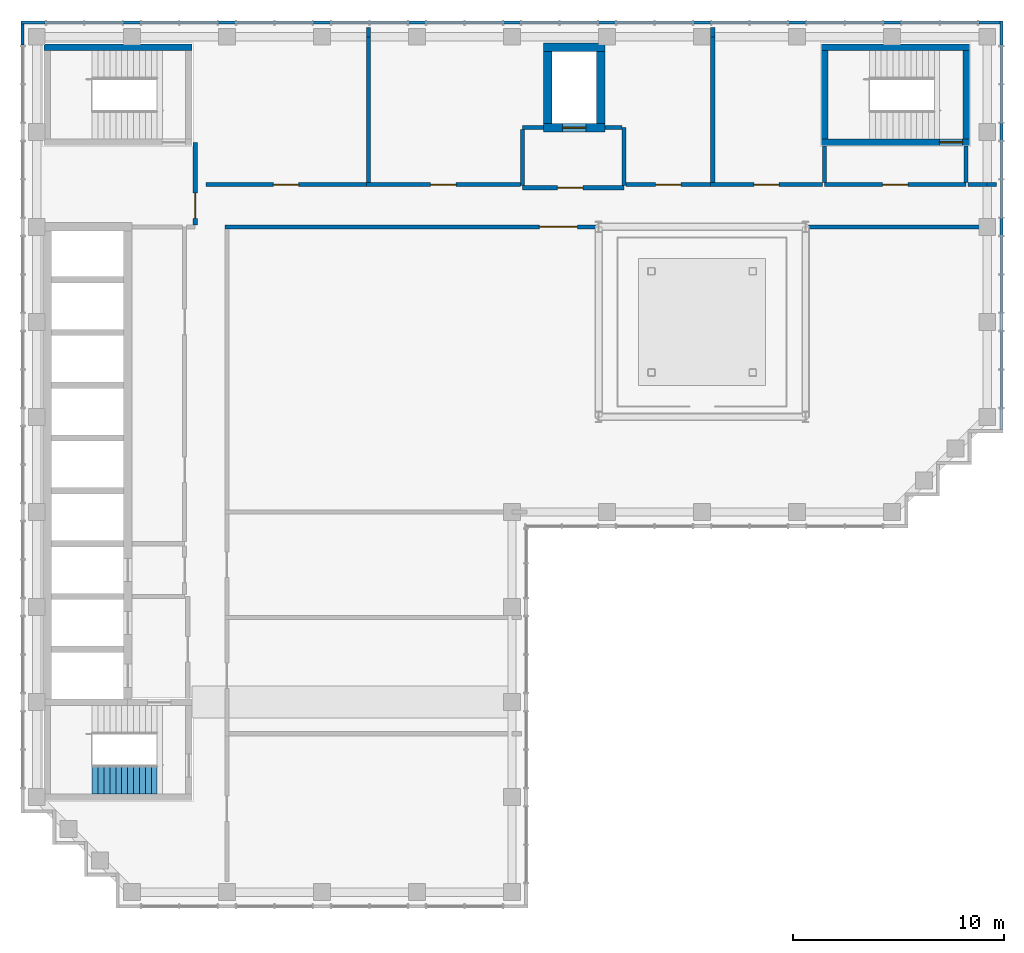
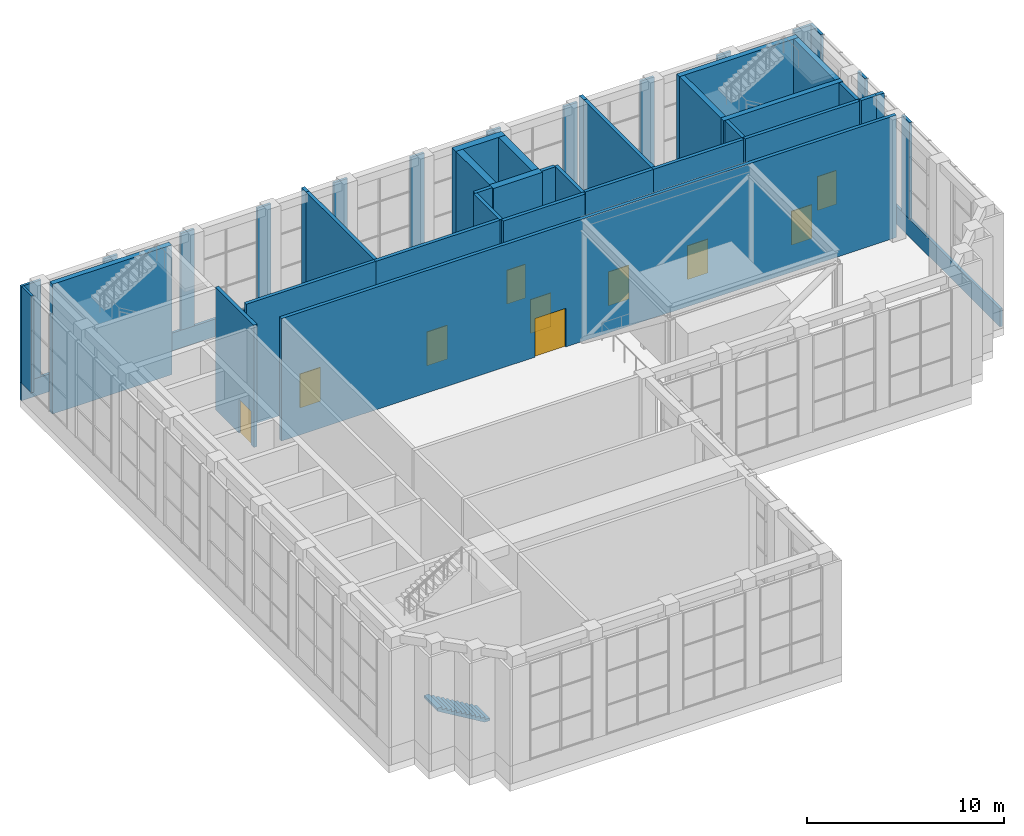
# One storey, part 14 of 17: 46 walls, 10 doors, 1 stair flight, 10 openings, 1 element without a shape of its own.
"""IFC4 building model written with IfcOpenShell, lengths in metres."""

from ifc_helpers import new_model, si_unit, direction, frame, frame_2d, origin, place, context, subcontext, project, spatial, polyline, rectangle, outline, extrude, material, layer, layer_set, type_object, element, fill, aggregate, save


model = new_model("IFC4")

# Units and contexts
model_context = context("Model", 3, precision=1e-05, world=origin(), true_north=direction((0.0, 1.0)))
body_context = subcontext(model_context, "Body", "Model", "MODEL_VIEW")
ifc_project = project(units=[si_unit("LENGTHUNIT", "METRE"), si_unit("AREAUNIT", "SQUARE_METRE"), si_unit("VOLUMEUNIT", "CUBIC_METRE"), si_unit("PLANEANGLEUNIT", "RADIAN"), si_unit("MASSUNIT", "GRAM", prefix="KILO")], contexts=[model_context])

# Site, building, storey
site_placement = place(None, origin())
site = spatial("IfcSite", under=ifc_project, at=site_placement, CompositionType="ELEMENT")
building_placement = place(site_placement, origin())
building = spatial("IfcBuilding", under=site, at=building_placement, Name="Firuza Court", CompositionType="ELEMENT")
storey_placement = place(building_placement, frame((0.0, 0.0, 258.199951171875)))
storey = spatial("IfcBuildingStorey", under=building, at=storey_placement, Name="L67", CompositionType="ELEMENT", Elevation=258.199951171875)

# Wall
ifc_material_1 = material(Name="Concrete C50/60", Category="concrete")
ifc_layer_1 = layer(ifc_material_1, 0.300048828125)
ifc_layer_set_1 = layer_set([ifc_layer_1], Name="Concrete C50/60")
wall_type_1 = type_object("IfcWallType", Name="Core wall 300 C50/60", PredefinedType="SHEAR", material=ifc_layer_set_1)
wall_1_placement = place(storey_placement, frame((0.35009765625, 58.0, -0.449951171875), z_axis=(0.0, 0.0, 1.0), x_axis=(1.0, 0.0, 0.0)))
element("IfcWall", 1, at=wall_1_placement, inside=storey, type_object=wall_type_1, Name="Core wall stair L67", PredefinedType="SHEAR", context=body_context, shape_type="SweptSolid", body=[
    extrude(rectangle(XDim=7.0, YDim=0.300048828125, at=frame_2d((3.5, 0.0))), origin(), (0.0, 0.0, 1.0), 8.050048828125),
])

# Wall, opening, door
wall_2_placement = place(storey_placement, frame((37.14990234375, 53.5, -0.449951171875), z_axis=(0.0, 0.0, 1.0), x_axis=(1.0, 0.0, 0.0)))
wall_2 = element("IfcWall", 2, at=wall_2_placement, inside=storey, type_object=wall_type_1, Name="Core wall stair L67", PredefinedType="SHEAR", context=body_context, shape_type="SweptSolid", body=[
    extrude(rectangle(XDim=7.0, YDim=0.300048828125, at=frame_2d((3.5, 0.0))), origin(), (0.0, 0.0, 1.0), 8.050048828125),
])
opening_1_placement = place(wall_2_placement, frame((5.580078125, 0.0, 0.449951171875)))
opening_1 = element("IfcOpeningElement", 3, at=opening_1_placement, cuts=wall_2, Name="Opening D67008", PredefinedType="OPENING", context=body_context, shape_type="SweptSolid", body=[
    extrude(rectangle(XDim=1.10009765625, YDim=2.10009765625, at=frame_2d((0.550048828125, 1.050048828125))), frame((0.0, 0.162109375, 0.0), z_axis=(0.0, -1.0, 0.0), x_axis=(1.0, 0.0, 0.0)), (0.0, 0.0, 1.0), 0.323974609375),
])
ifc_material_2 = material(Name="Timber door leaf in hardwood frame", Category="wood")
door_type_1 = type_object("IfcDoorType", Name="Stair door 1100", OperationType="SINGLE_SWING_LEFT", PredefinedType="DOOR", material=ifc_material_2)
door_1_placement = place(opening_1_placement, origin())
door_1 = element("IfcDoor", 4, at=door_1_placement, inside=storey, type_object=door_type_1, Name="Stair door S1", OperationType="SINGLE_SWING_RIGHT", OverallHeight=2.10009765625, OverallWidth=1.10009765625, PredefinedType="DOOR", context=body_context, shape_type="SweptSolid", body=[
    extrude(rectangle(XDim=1.10009765625, YDim=2.10009765625, at=frame_2d((0.550048828125, 1.050048828125))), frame((0.0, 0.02490234375, 0.0), z_axis=(0.0, -1.0, 0.0), x_axis=(1.0, 0.0, 0.0)), (0.0, 0.0, 1.0), 0.050048828125),
])
fill(opening_1, door_1)

# Walls
wall_3_placement = place(storey_placement, frame((37.14990234375, 58.0, -0.449951171875), z_axis=(0.0, 0.0, 1.0), x_axis=(1.0, 0.0, 0.0)))
element("IfcWall", 5, at=wall_3_placement, inside=storey, type_object=wall_type_1, Name="Core wall stair L67", PredefinedType="SHEAR", context=body_context, shape_type="SweptSolid", body=[
    extrude(rectangle(XDim=7.0, YDim=0.300048828125, at=frame_2d((3.5, 0.0))), origin(), (0.0, 0.0, 1.0), 8.050048828125),
])
for number, where, z_axis, x_axis, name in (
    (6, (37.300048828125, 53.64990234375, -0.449951171875), (0.0, 0.0, 1.0), (0.0, 1.0, 0.0), "Core wall stair L67"),
    (7, (44.0, 53.64990234375, -0.449951171875), (0.0, 0.0, 1.0), (0.0, 1.0, 0.0), "Core wall stair L67"),
):
    element("IfcWall", number, at=place(storey_placement, frame(where, z_axis=z_axis, x_axis=x_axis)), inside=storey, type_object=wall_type_1, Name=name, PredefinedType="SHEAR", context=body_context, shape_type="SweptSolid", body=[
        extrude(rectangle(XDim=4.2001953125, YDim=0.300048828125, at=frame_2d((2.10009765625, 0.0))), origin(), (0.0, 0.0, 1.0), 8.050048828125),
    ])

# Wall, opening, door
ifc_layer_2 = layer(ifc_material_1, 0.39990234375)
ifc_layer_set_2 = layer_set([ifc_layer_2], Name="Concrete C50/60")
wall_type_2 = type_object("IfcWallType", Name="Core wall 400 C50/60", PredefinedType="SHEAR", material=ifc_layer_set_2)
wall_4_placement = place(storey_placement, frame((24.0, 54.199951171875, -0.449951171875), z_axis=(0.0, 0.0, 1.0), x_axis=(1.0, 0.0, 0.0)))
wall_4 = element("IfcWall", 8, at=wall_4_placement, inside=storey, type_object=wall_type_2, Name="Core wall lift shaft L67", PredefinedType="SHEAR", context=body_context, shape_type="SweptSolid", body=[
    extrude(rectangle(XDim=2.89990234375, YDim=0.39990234375, at=frame_2d((1.449951171875, 0.0))), origin(), (0.0, 0.0, 1.0), 8.050048828125),
])
opening_2_placement = place(wall_4_placement, frame((0.89990234375, 0.0, 0.449951171875)))
opening_2 = element("IfcOpeningElement", 9, at=opening_2_placement, cuts=wall_4, Name="Opening LD-FL3-67", PredefinedType="OPENING", context=body_context, shape_type="SweptSolid", body=[
    extrude(rectangle(XDim=1.10009765625, YDim=2.10009765625, at=frame_2d((0.550048828125, 1.050048828125))), frame((0.0, 0.2119140625, 0.0), z_axis=(0.0, -1.0, 0.0), x_axis=(1.0, 0.0, 0.0)), (0.0, 0.0, 1.0), 0.423828125),
])
ifc_material_3 = material(Name="Stainless steel 1.4301 door leaf", Category="steel")
door_type_2 = type_object("IfcDoorType", Name="Lift landing door 1100", OperationType="SLIDING_TO_LEFT", PredefinedType="DOOR", material=ifc_material_3)
door_2_placement = place(opening_2_placement, origin())
door_2 = element("IfcDoor", 10, at=door_2_placement, inside=storey, type_object=door_type_2, Name="Landing door FL3", OperationType="SLIDING_TO_LEFT", OverallHeight=2.10009765625, OverallWidth=1.10009765625, PredefinedType="DOOR", context=body_context, shape_type="SweptSolid", body=[
    extrude(rectangle(XDim=1.10009765625, YDim=2.10009765625, at=frame_2d((0.550048828125, 1.050048828125))), frame((0.0, 0.02490234375, 0.0), z_axis=(0.0, -1.0, 0.0), x_axis=(1.0, 0.0, 0.0)), (0.0, 0.0, 1.0), 0.050048828125),
])
fill(opening_2, door_2)

# Walls
wall_5_placement = place(storey_placement, frame((24.0, 58.0, -0.449951171875), z_axis=(0.0, 0.0, 1.0), x_axis=(1.0, 0.0, 0.0)))
element("IfcWall", 11, at=wall_5_placement, inside=storey, type_object=wall_type_2, Name="Core wall lift shaft L67", PredefinedType="SHEAR", context=body_context, shape_type="SweptSolid", body=[
    extrude(rectangle(XDim=2.89990234375, YDim=0.39990234375, at=frame_2d((1.449951171875, 0.0))), origin(), (0.0, 0.0, 1.0), 8.050048828125),
])
for number, where, z_axis, x_axis, name in (
    (12, (24.199951171875, 54.39990234375, -0.449951171875), (0.0, 0.0, 1.0), (0.0, 1.0, 0.0), "Core wall lift shaft L67"),
    (13, (26.699951171875, 54.39990234375, -0.449951171875), (0.0, 0.0, 1.0), (0.0, 1.0, 0.0), "Core wall lift shaft L67"),
):
    element("IfcWall", number, at=place(storey_placement, frame(where, z_axis=z_axis, x_axis=x_axis)), inside=storey, type_object=wall_type_2, Name=name, PredefinedType="SHEAR", context=body_context, shape_type="SweptSolid", body=[
        extrude(rectangle(XDim=3.400146484375, YDim=0.39990234375, at=frame_2d((1.7001953125, 0.0))), origin(), (0.0, 0.0, 1.0), 8.050048828125),
    ])

# Wall, opening, door
ifc_material_4 = material(Name="Blockwork, fire-rated", Category="masonry")
ifc_layer_3 = layer(ifc_material_4, 0.199951171875)
ifc_layer_set_3 = layer_set([ifc_layer_3], Name="Blockwork, fire-rated")
wall_type_3 = type_object("IfcWallType", Name="Plant room wall 200", PredefinedType="PARTITIONING", material=ifc_layer_set_3)
wall_6_placement = place(storey_placement, frame((8.89990234375, 49.5, 0.0), z_axis=(0.0, 0.0, 1.0), x_axis=(1.0, 0.0, 0.0)))
wall_6 = element("IfcWall", 14, at=wall_6_placement, inside=storey, type_object=wall_type_3, Name="Plant room wall 200 L67", PredefinedType="PARTITIONING", context=body_context, shape_type="SweptSolid", body=[
    extrude(rectangle(XDim=36.10009765625, YDim=0.199951171875, at=frame_2d((18.050048828125, 0.0))), origin(), (0.0, 0.0, 1.0), 7.60009765625),
])
opening_3_placement = place(wall_6_placement, frame((14.89990234375, 0.0, 0.0)))
opening_3 = element("IfcOpeningElement", 15, at=opening_3_placement, cuts=wall_6, Name="Opening D67015", PredefinedType="OPENING", context=body_context, shape_type="SweptSolid", body=[
    extrude(rectangle(XDim=1.800048828125, YDim=2.39990234375, at=frame_2d((0.89990234375, 1.199951171875))), frame((0.0, 0.11181640625, 0.0), z_axis=(0.0, -1.0, 0.0), x_axis=(1.0, 0.0, 0.0)), (0.0, 0.0, 1.0), 0.223876953125),
])
ifc_material_5 = material(Name="Timber door leaf in hardwood frame", Category="wood")
door_type_3 = type_object("IfcDoorType", Name="Double door 1800 EI 60", OperationType="DOUBLE_DOOR_SINGLE_SWING", PredefinedType="DOOR", material=ifc_material_5)
door_3_placement = place(opening_3_placement, origin())
door_3 = element("IfcDoor", 16, at=door_3_placement, inside=storey, type_object=door_type_3, Name="Double door", OperationType="DOUBLE_DOOR_SINGLE_SWING", OverallHeight=2.39990234375, OverallWidth=1.800048828125, PredefinedType="DOOR", context=body_context, shape_type="SweptSolid", body=[
    extrude(rectangle(XDim=1.800048828125, YDim=2.39990234375, at=frame_2d((0.89990234375, 1.199951171875))), frame((0.0, 0.02490234375, 0.0), z_axis=(0.0, -1.0, 0.0), x_axis=(1.0, 0.0, 0.0)), (0.0, 0.0, 1.0), 0.050048828125),
])
fill(opening_3, door_3)

wall_7_placement = place(storey_placement, frame((15.60009765625, 51.5, 0.0), z_axis=(0.0, 0.0, 1.0), x_axis=(-1.0, 0.0, 0.0)))
wall_7 = element("IfcWall", 17, at=wall_7_placement, inside=storey, type_object=wall_type_3, Name="Plant room wall 200 L67", PredefinedType="PARTITIONING", context=body_context, shape_type="SweptSolid", body=[
    extrude(rectangle(XDim=7.60009765625, YDim=0.199951171875, at=frame_2d((3.800048828125, 0.0))), origin(), (0.0, 0.0, 1.0), 7.60009765625),
])
opening_4_placement = place(wall_7_placement, frame((3.199951171875, 0.0, 0.0)))
opening_4 = element("IfcOpeningElement", 18, at=opening_4_placement, cuts=wall_7, Name="Opening D67016", PredefinedType="OPENING", context=body_context, shape_type="SweptSolid", body=[
    extrude(rectangle(XDim=1.199951171875, YDim=2.10009765625, at=frame_2d((0.60009765625, 1.050048828125))), frame((0.0, 0.11181640625, 0.0), z_axis=(0.0, -1.0, 0.0), x_axis=(1.0, 0.0, 0.0)), (0.0, 0.0, 1.0), 0.223876953125),
])
ifc_material_6 = material(Name="Timber door leaf in hardwood frame", Category="wood")
door_type_4 = type_object("IfcDoorType", Name="Plant room door 1200", OperationType="SINGLE_SWING_LEFT", PredefinedType="DOOR", material=ifc_material_6)
door_4_placement = place(opening_4_placement, frame((1.199951171875, 0.0, 0.0), z_axis=(0.0, 0.0, 1.0), x_axis=(-1.0, 0.0, 0.0)))
door_4 = element("IfcDoor", 19, at=door_4_placement, inside=storey, type_object=door_type_4, Name="Plant door", OperationType="SINGLE_SWING_RIGHT", OverallHeight=2.10009765625, OverallWidth=1.199951171875, PredefinedType="DOOR", context=body_context, shape_type="SweptSolid", body=[
    extrude(rectangle(XDim=1.199951171875, YDim=2.10009765625, at=frame_2d((0.60009765625, 1.050048828125))), frame((0.0, 0.02490234375, 0.0), z_axis=(0.0, -1.0, 0.0), x_axis=(1.0, 0.0, 0.0)), (0.0, 0.0, 1.0), 0.050048828125),
])
fill(opening_4, door_4)

wall_8_placement = place(storey_placement, frame((22.89990234375, 51.5, 0.0), z_axis=(0.0, 0.0, 1.0), x_axis=(-1.0, 0.0, 0.0)))
wall_8 = element("IfcWall", 20, at=wall_8_placement, inside=storey, type_object=wall_type_3, Name="Plant room wall 200 L67", PredefinedType="PARTITIONING", context=body_context, shape_type="SweptSolid", body=[
    extrude(rectangle(XDim=7.2998046875, YDim=0.199951171875, at=frame_2d((3.64990234375, 0.0))), origin(), (0.0, 0.0, 1.0), 7.60009765625),
])
opening_5_placement = place(wall_8_placement, frame((3.050048828125, 0.0, 0.0)))
opening_5 = element("IfcOpeningElement", 21, at=opening_5_placement, cuts=wall_8, Name="Opening D67017", PredefinedType="OPENING", context=body_context, shape_type="SweptSolid", body=[
    extrude(rectangle(XDim=1.199951171875, YDim=2.10009765625, at=frame_2d((0.60009765625, 1.050048828125))), frame((0.0, 0.11181640625, 0.0), z_axis=(0.0, -1.0, 0.0), x_axis=(1.0, 0.0, 0.0)), (0.0, 0.0, 1.0), 0.223876953125),
])
door_5_placement = place(opening_5_placement, frame((1.199951171875, 0.0, 0.0), z_axis=(0.0, 0.0, 1.0), x_axis=(-1.0, 0.0, 0.0)))
door_5 = element("IfcDoor", 22, at=door_5_placement, inside=storey, type_object=door_type_4, Name="Plant door", OperationType="SINGLE_SWING_LEFT", OverallHeight=2.10009765625, OverallWidth=1.199951171875, PredefinedType="DOOR", context=body_context, shape_type="SweptSolid", body=[
    extrude(rectangle(XDim=1.199951171875, YDim=2.10009765625, at=frame_2d((0.60009765625, 1.050048828125))), frame((0.0, 0.02490234375, 0.0), z_axis=(0.0, -1.0, 0.0), x_axis=(1.0, 0.0, 0.0)), (0.0, 0.0, 1.0), 0.050048828125),
])
fill(opening_5, door_5)

wall_9_placement = place(storey_placement, frame((31.89990234375, 51.5, 0.0), z_axis=(0.0, 0.0, 1.0), x_axis=(-1.0, 0.0, 0.0)))
wall_9 = element("IfcWall", 23, at=wall_9_placement, inside=storey, type_object=wall_type_3, Name="Plant room wall 200 L67", PredefinedType="PARTITIONING", context=body_context, shape_type="SweptSolid", body=[
    extrude(rectangle(XDim=4.0, YDim=0.199951171875, at=frame_2d((2.0, 0.0))), origin(), (0.0, 0.0, 1.0), 7.60009765625),
])
opening_6_placement = place(wall_9_placement, frame((1.39990234375, 0.0, 0.0)))
opening_6 = element("IfcOpeningElement", 24, at=opening_6_placement, cuts=wall_9, Name="Opening D67018", PredefinedType="OPENING", context=body_context, shape_type="SweptSolid", body=[
    extrude(rectangle(XDim=1.199951171875, YDim=2.10009765625, at=frame_2d((0.60009765625, 1.050048828125))), frame((0.0, 0.11181640625, 0.0), z_axis=(0.0, -1.0, 0.0), x_axis=(1.0, 0.0, 0.0)), (0.0, 0.0, 1.0), 0.223876953125),
])
door_6_placement = place(opening_6_placement, frame((1.199951171875, 0.0, 0.0), z_axis=(0.0, 0.0, 1.0), x_axis=(-1.0, 0.0, 0.0)))
door_6 = element("IfcDoor", 25, at=door_6_placement, inside=storey, type_object=door_type_4, Name="Plant door", OperationType="SINGLE_SWING_RIGHT", OverallHeight=2.10009765625, OverallWidth=1.199951171875, PredefinedType="DOOR", context=body_context, shape_type="SweptSolid", body=[
    extrude(rectangle(XDim=1.199951171875, YDim=2.10009765625, at=frame_2d((0.60009765625, 1.050048828125))), frame((0.0, 0.02490234375, 0.0), z_axis=(0.0, -1.0, 0.0), x_axis=(1.0, 0.0, 0.0)), (0.0, 0.0, 1.0), 0.050048828125),
])
fill(opening_6, door_6)

wall_10_placement = place(storey_placement, frame((37.199951171875, 51.5, 0.0), z_axis=(0.0, 0.0, 1.0), x_axis=(-1.0, 0.0, 0.0)))
wall_10 = element("IfcWall", 26, at=wall_10_placement, inside=storey, type_object=wall_type_3, Name="Plant room wall 200 L67", PredefinedType="PARTITIONING", context=body_context, shape_type="SweptSolid", body=[
    extrude(rectangle(XDim=5.300048828125, YDim=0.199951171875, at=frame_2d((2.64990234375, 0.0))), origin(), (0.0, 0.0, 1.0), 7.60009765625),
])
opening_7_placement = place(wall_10_placement, frame((2.050048828125, 0.0, 0.0)))
opening_7 = element("IfcOpeningElement", 27, at=opening_7_placement, cuts=wall_10, Name="Opening D67019", PredefinedType="OPENING", context=body_context, shape_type="SweptSolid", body=[
    extrude(rectangle(XDim=1.199951171875, YDim=2.10009765625, at=frame_2d((0.60009765625, 1.050048828125))), frame((0.0, 0.11181640625, 0.0), z_axis=(0.0, -1.0, 0.0), x_axis=(1.0, 0.0, 0.0)), (0.0, 0.0, 1.0), 0.223876953125),
])
door_7_placement = place(opening_7_placement, frame((1.199951171875, 0.0, 0.0), z_axis=(0.0, 0.0, 1.0), x_axis=(-1.0, 0.0, 0.0)))
door_7 = element("IfcDoor", 28, at=door_7_placement, inside=storey, type_object=door_type_4, Name="Plant door", OperationType="SINGLE_SWING_LEFT", OverallHeight=2.10009765625, OverallWidth=1.199951171875, PredefinedType="DOOR", context=body_context, shape_type="SweptSolid", body=[
    extrude(rectangle(XDim=1.199951171875, YDim=2.10009765625, at=frame_2d((0.60009765625, 1.050048828125))), frame((0.0, 0.02490234375, 0.0), z_axis=(0.0, -1.0, 0.0), x_axis=(1.0, 0.0, 0.0)), (0.0, 0.0, 1.0), 0.050048828125),
])
fill(opening_7, door_7)

# Walls
wall_11_placement = place(storey_placement, frame((45.0, 51.5, 0.0), z_axis=(0.0, 0.0, 1.0), x_axis=(-1.0, 0.0, 0.0)))
element("IfcWall", 29, at=wall_11_placement, inside=storey, type_object=wall_type_3, Name="Plant room wall 200 L67", PredefinedType="PARTITIONING", context=body_context, shape_type="SweptSolid", body=[
    extrude(rectangle(XDim=0.89990234375, YDim=0.199951171875, at=frame_2d((0.449951171875, 0.0))), origin(), (0.0, 0.0, 1.0), 7.60009765625),
])
wall_12_placement = place(storey_placement, frame((45.449951171875, 51.5, 0.0), z_axis=(0.0, 0.0, 1.0), x_axis=(-1.0, 0.0, 0.0)))
element("IfcWall", 30, at=wall_12_placement, inside=storey, type_object=wall_type_3, Name="Plant room wall 200 L67", PredefinedType="PARTITIONING", context=body_context, shape_type="SweptSolid", body=[
    extrude(rectangle(XDim=0.449951171875, YDim=0.199951171875, at=frame_2d((0.22509765625, 0.0))), origin(), (0.0, 0.0, 1.0), 7.60009765625),
])
for number, where, z_axis, x_axis, name in (
    (31, (15.699951171875, 58.5, 0.0), (0.0, 0.0, 1.0), (0.0, -1.0, 0.0), "Plant room wall 200 L67"),
    (32, (32.0, 58.5, 0.0), (0.0, 0.0, 1.0), (0.0, -1.0, 0.0), "Plant room wall 200 L67"),
):
    element("IfcWall", number, at=place(storey_placement, frame(where, z_axis=z_axis, x_axis=x_axis)), inside=storey, type_object=wall_type_3, Name=name, PredefinedType="PARTITIONING", context=body_context, shape_type="SweptSolid", body=[
        extrude(rectangle(XDim=6.89990234375, YDim=0.199951171875, at=frame_2d((3.449951171875, 0.0))), origin(), (0.0, 0.0, 1.0), 7.60009765625),
    ])
for number, where, z_axis, x_axis, name in (
    (33, (15.699951171875, 58.949951171875, 0.0), (0.0, 0.0, 1.0), (0.0, -1.0, 0.0), "Plant room wall 200 L67"),
    (34, (32.0, 58.949951171875, 0.0), (0.0, 0.0, 1.0), (0.0, -1.0, 0.0), "Plant room wall 200 L67"),
):
    element("IfcWall", number, at=place(storey_placement, frame(where, z_axis=z_axis, x_axis=x_axis)), inside=storey, type_object=wall_type_3, Name=name, PredefinedType="PARTITIONING", context=body_context, shape_type="SweptSolid", body=[
        extrude(rectangle(XDim=0.449951171875, YDim=0.199951171875, at=frame_2d((0.22509765625, 0.0))), origin(), (0.0, 0.0, 1.0), 7.60009765625),
    ])
ifc_material_7 = material(Name="Ceramic tile", Category="ceramic")
ifc_layer_4 = layer(ifc_material_7, 0.02001953125)
ifc_material_8 = material(Name="Mineral wool insulation", Category="insulation")
ifc_layer_5 = layer(ifc_material_8, 0.050048828125)
ifc_material_9 = material(Name="Concrete C40/50 precast", Category="concrete")
ifc_layer_6 = layer(ifc_material_9, 0.080078125)
ifc_layer_set_4 = layer_set([ifc_layer_4, ifc_layer_5, ifc_layer_6], Name="Concrete C40/50 precast")
wall_type_4 = type_object("IfcWallType", Name="Precast cladding wall with turquoise TILE PANEL face 150", PredefinedType="STANDARD", material=ifc_layer_set_4)
wall_13_placement = place(storey_placement, frame((45.675048828125, 39.89990234375, 0.0), z_axis=(0.0, 0.0, 1.0), x_axis=(0.0, 1.0, 0.0)))
element("IfcWall", 35, at=wall_13_placement, inside=storey, type_object=wall_type_4, Name="Facade kerb wall L67 E", PredefinedType="STANDARD", context=body_context, shape_type="SweptSolid", body=[
    extrude(rectangle(XDim=19.35009765625, YDim=0.14990234375, at=frame_2d((9.675048828125, 0.0))), origin(), (0.0, 0.0, 1.0), 1.10009765625),
])
wall_14_placement = place(storey_placement, frame((45.60009765625, 59.175048828125, 0.0), z_axis=(0.0, 0.0, 1.0), x_axis=(-1.0, 0.0, 0.0)))
element("IfcWall", 36, at=wall_14_placement, inside=storey, type_object=wall_type_4, Name="Facade kerb wall L67 N", PredefinedType="STANDARD", context=body_context, shape_type="SweptSolid", body=[
    extrude(rectangle(XDim=46.35009765625, YDim=0.14990234375, at=frame_2d((23.175048828125, 0.0))), origin(), (0.0, 0.0, 1.0), 1.10009765625),
])
for number, where, z_axis, x_axis, name in (
    (37, (45.675048828125, 49.10009765625, 1.10009765625), (0.0, 0.0, 1.0), (0.0, 1.0, 0.0), "Facade wall L67 E"),
    (38, (45.675048828125, 53.60009765625, 1.10009765625), (0.0, 0.0, 1.0), (0.0, 1.0, 0.0), "Facade wall L67 E"),
):
    element("IfcWall", number, at=place(storey_placement, frame(where, z_axis=z_axis, x_axis=x_axis)), inside=storey, type_object=wall_type_4, Name=name, PredefinedType="STANDARD", context=body_context, shape_type="SweptSolid", body=[
        extrude(rectangle(XDim=0.7998046875, YDim=0.14990234375, at=frame_2d((0.39990234375, 0.0))), origin(), (0.0, 0.0, 1.0), 6.0),
    ])
wall_15_placement = place(storey_placement, frame((45.675048828125, 58.10009765625, 1.10009765625), z_axis=(0.0, 0.0, 1.0), x_axis=(0.0, 1.0, 0.0)))
element("IfcWall", 39, at=wall_15_placement, inside=storey, type_object=wall_type_4, Name="Facade wall L67 E", PredefinedType="STANDARD", context=body_context, shape_type="SweptSolid", body=[
    extrude(rectangle(XDim=1.14990234375, YDim=0.14990234375, at=frame_2d((0.574951171875, 0.0))), origin(), (0.0, 0.0, 1.0), 6.0),
])
wall_16_placement = place(storey_placement, frame((45.60009765625, 59.175048828125, 1.10009765625), z_axis=(0.0, 0.0, 1.0), x_axis=(-1.0, 0.0, 0.0)))
element("IfcWall", 40, at=wall_16_placement, inside=storey, type_object=wall_type_4, Name="Facade wall L67 N", PredefinedType="STANDARD", context=body_context, shape_type="SweptSolid", body=[
    extrude(rectangle(XDim=1.0, YDim=0.14990234375, at=frame_2d((0.5, 0.0))), origin(), (0.0, 0.0, 1.0), 6.0),
])
for number, where, z_axis, x_axis, name in (
    (41, (40.89990234375, 59.175048828125, 1.10009765625), (0.0, 0.0, 1.0), (-1.0, 0.0, 0.0), "Facade wall L67 N"),
    (42, (36.39990234375, 59.175048828125, 1.10009765625), (0.0, 0.0, 1.0), (-1.0, 0.0, 0.0), "Facade wall L67 N"),
    (43, (31.89990234375, 59.175048828125, 1.10009765625), (0.0, 0.0, 1.0), (-1.0, 0.0, 0.0), "Facade wall L67 N"),
    (44, (27.39990234375, 59.175048828125, 1.10009765625), (0.0, 0.0, 1.0), (-1.0, 0.0, 0.0), "Facade wall L67 N"),
    (45, (22.89990234375, 59.175048828125, 1.10009765625), (0.0, 0.0, 1.0), (-1.0, 0.0, 0.0), "Facade wall L67 N"),
    (46, (18.39990234375, 59.175048828125, 1.10009765625), (0.0, 0.0, 1.0), (-1.0, 0.0, 0.0), "Facade wall L67 N"),
    (47, (13.89990234375, 59.175048828125, 1.10009765625), (0.0, 0.0, 1.0), (-1.0, 0.0, 0.0), "Facade wall L67 N"),
    (48, (9.39990234375, 59.175048828125, 1.10009765625), (0.0, 0.0, 1.0), (-1.0, 0.0, 0.0), "Facade wall L67 N"),
    (49, (4.89990234375, 59.175048828125, 1.10009765625), (0.0, 0.0, 1.0), (-1.0, 0.0, 0.0), "Facade wall L67 N"),
):
    element("IfcWall", number, at=place(storey_placement, frame(where, z_axis=z_axis, x_axis=x_axis)), inside=storey, type_object=wall_type_4, Name=name, PredefinedType="STANDARD", context=body_context, shape_type="SweptSolid", body=[
        extrude(rectangle(XDim=0.7998046875, YDim=0.14990234375, at=frame_2d((0.39990234375, 0.0))), origin(), (0.0, 0.0, 1.0), 6.0),
    ])
wall_17_placement = place(storey_placement, frame((0.39990234375, 59.175048828125, 1.10009765625), z_axis=(0.0, 0.0, 1.0), x_axis=(-1.0, 0.0, 0.0)))
element("IfcWall", 50, at=wall_17_placement, inside=storey, type_object=wall_type_4, Name="Facade wall L67 N", PredefinedType="STANDARD", context=body_context, shape_type="SweptSolid", body=[
    extrude(rectangle(XDim=1.14990234375, YDim=0.14990234375, at=frame_2d((0.574951171875, 0.0))), origin(), (0.0, 0.0, 1.0), 6.0),
])
wall_18_placement = place(storey_placement, frame((-0.675048828125, 59.10009765625, 1.10009765625), z_axis=(0.0, 0.0, 1.0), x_axis=(0.0, -1.0, 0.0)))
element("IfcWall", 51, at=wall_18_placement, inside=storey, type_object=wall_type_4, Name="Facade wall L67 W", PredefinedType="STANDARD", context=body_context, shape_type="SweptSolid", body=[
    extrude(rectangle(XDim=1.0, YDim=0.14990234375, at=frame_2d((0.5, 0.0))), origin(), (0.0, 0.0, 1.0), 6.0),
])

# Wall, opening, door
ifc_layer_7 = layer(ifc_material_4, 0.199951171875)
ifc_layer_set_5 = layer_set([ifc_layer_7], Name="Blockwork, fire-rated")
wall_type_5 = type_object("IfcWallType", Name="Shaft wall 200", PredefinedType="PARTITIONING", material=ifc_layer_set_5)
wall_19_placement = place(storey_placement, frame((23.0, 51.35009765625, 0.0), z_axis=(0.0, 0.0, 1.0), x_axis=(1.0, 0.0, 0.0)))
wall_19 = element("IfcWall", 52, at=wall_19_placement, inside=storey, type_object=wall_type_5, Name="Shaft wall 200 L67", PredefinedType="PARTITIONING", context=body_context, shape_type="SweptSolid", body=[
    extrude(rectangle(XDim=4.800048828125, YDim=0.199951171875, at=frame_2d((2.39990234375, 0.0))), origin(), (0.0, 0.0, 1.0), 7.60009765625),
])
opening_8_placement = place(wall_19_placement, frame((1.64990234375, 0.0, 0.0)))
opening_8 = element("IfcOpeningElement", 53, at=opening_8_placement, cuts=wall_19, Name="Opening D67003", PredefinedType="OPENING", context=body_context, shape_type="SweptSolid", body=[
    extrude(rectangle(XDim=1.199951171875, YDim=2.10009765625, at=frame_2d((0.60009765625, 1.050048828125))), frame((0.0, 0.11181640625, 0.0), z_axis=(0.0, -1.0, 0.0), x_axis=(1.0, 0.0, 0.0)), (0.0, 0.0, 1.0), 0.223876953125),
])
ifc_material_10 = material(Name="Timber door leaf in hardwood frame", Category="wood")
door_type_5 = type_object("IfcDoorType", Name="Lobby door 1200", OperationType="SINGLE_SWING_LEFT", PredefinedType="DOOR", material=ifc_material_10)
door_8_placement = place(opening_8_placement, origin())
door_8 = element("IfcDoor", 54, at=door_8_placement, inside=storey, type_object=door_type_5, Name="Fire-fighting lobby door", OperationType="SINGLE_SWING_LEFT", OverallHeight=2.10009765625, OverallWidth=1.199951171875, PredefinedType="DOOR", context=body_context, shape_type="SweptSolid", body=[
    extrude(rectangle(XDim=1.199951171875, YDim=2.10009765625, at=frame_2d((0.60009765625, 1.050048828125))), frame((0.0, 0.02490234375, 0.0), z_axis=(0.0, -1.0, 0.0), x_axis=(1.0, 0.0, 0.0)), (0.0, 0.0, 1.0), 0.050048828125),
])
fill(opening_8, door_8)

# Walls
wall_20_placement = place(storey_placement, frame((27.800048828125, 51.449951171875, 0.0), z_axis=(0.0, 0.0, 1.0), x_axis=(0.0, 1.0, 0.0)))
element("IfcWall", 55, at=wall_20_placement, inside=storey, type_object=wall_type_5, Name="Shaft wall 200 L67", PredefinedType="PARTITIONING", context=body_context, shape_type="SweptSolid", body=[
    extrude(rectangle(XDim=2.75, YDim=0.199951171875, at=frame_2d((1.375, 0.0))), origin(), (0.0, 0.0, 1.0), 7.60009765625),
])
wall_21_placement = place(storey_placement, frame((23.0, 54.199951171875, 0.0), z_axis=(0.0, 0.0, 1.0), x_axis=(1.0, 0.0, 0.0)))
element("IfcWall", 56, at=wall_21_placement, inside=storey, type_object=wall_type_5, Name="Shaft wall 200 L67", PredefinedType="PARTITIONING", context=body_context, shape_type="SweptSolid", body=[
    extrude(rectangle(XDim=1.0, YDim=0.199951171875, at=frame_2d((0.5, 0.0))), origin(), (0.0, 0.0, 1.0), 7.60009765625),
])
wall_22_placement = place(storey_placement, frame((26.89990234375, 54.199951171875, 0.0), z_axis=(0.0, 0.0, 1.0), x_axis=(1.0, 0.0, 0.0)))
element("IfcWall", 57, at=wall_22_placement, inside=storey, type_object=wall_type_5, Name="Shaft wall 200 L67", PredefinedType="PARTITIONING", context=body_context, shape_type="SweptSolid", body=[
    extrude(rectangle(XDim=0.800048828125, YDim=0.199951171875, at=frame_2d((0.39990234375, 0.0))), origin(), (0.0, 0.0, 1.0), 7.60009765625),
])
wall_23_placement = place(storey_placement, frame((23.0, 51.449951171875, 0.0), z_axis=(0.0, 0.0, 1.0), x_axis=(0.0, 1.0, 0.0)))
element("IfcWall", 58, at=wall_23_placement, inside=storey, type_object=wall_type_5, Name="Shaft wall 200 L67", PredefinedType="PARTITIONING", context=body_context, shape_type="SweptSolid", body=[
    extrude(rectangle(XDim=2.650146484375, YDim=0.199951171875, at=frame_2d((1.3251953125, 0.0))), origin(), (0.0, 0.0, 1.0), 7.60009765625),
])

# Wall, opening, door
wall_24_placement = place(storey_placement, frame((7.5, 49.60009765625, 0.0), z_axis=(0.0, 0.0, 1.0), x_axis=(0.0, 1.0, 0.0)))
wall_24 = element("IfcWall", 59, at=wall_24_placement, inside=storey, type_object=wall_type_5, Name="Shaft wall 200 L67", PredefinedType="PARTITIONING", context=body_context, shape_type="SweptSolid", body=[
    extrude(rectangle(XDim=3.89990234375, YDim=0.199951171875, at=frame_2d((1.949951171875, 0.0))), origin(), (0.0, 0.0, 1.0), 7.60009765625),
])
opening_9_placement = place(wall_24_placement, frame((0.300048828125, 0.0, 0.0)))
opening_9 = element("IfcOpeningElement", 60, at=opening_9_placement, cuts=wall_24, Name="Opening D67001", PredefinedType="OPENING", context=body_context, shape_type="SweptSolid", body=[
    extrude(rectangle(XDim=1.199951171875, YDim=2.10009765625, at=frame_2d((0.60009765625, 1.050048828125))), frame((0.0, 0.11181640625, 0.0), z_axis=(0.0, -1.0, 0.0), x_axis=(1.0, 0.0, 0.0)), (0.0, 0.0, 1.0), 0.223876953125),
])
door_9_placement = place(opening_9_placement, origin())
door_9 = element("IfcDoor", 61, at=door_9_placement, inside=storey, type_object=door_type_5, Name="Lobby door", OperationType="SINGLE_SWING_LEFT", OverallHeight=2.10009765625, OverallWidth=1.199951171875, PredefinedType="DOOR", context=body_context, shape_type="SweptSolid", body=[
    extrude(rectangle(XDim=1.199951171875, YDim=2.10009765625, at=frame_2d((0.60009765625, 1.050048828125))), frame((0.0, 0.02490234375, 0.0), z_axis=(0.0, -1.0, 0.0), x_axis=(1.0, 0.0, 0.0)), (0.0, 0.0, 1.0), 0.050048828125),
])
fill(opening_9, door_9)

wall_25_placement = place(storey_placement, frame((37.300048828125, 51.5, 0.0), z_axis=(0.0, 0.0, 1.0), x_axis=(1.0, 0.0, 0.0)))
wall_25 = element("IfcWall", 62, at=wall_25_placement, inside=storey, type_object=wall_type_5, Name="Shaft wall 200 L67", PredefinedType="PARTITIONING", context=body_context, shape_type="SweptSolid", body=[
    extrude(rectangle(XDim=6.699951171875, YDim=0.199951171875, at=frame_2d((3.35009765625, 0.0))), origin(), (0.0, 0.0, 1.0), 7.60009765625),
])
opening_10_placement = place(wall_25_placement, frame((2.75, 0.0, 0.0)))
opening_10 = element("IfcOpeningElement", 63, at=opening_10_placement, cuts=wall_25, Name="Opening D67006", PredefinedType="OPENING", context=body_context, shape_type="SweptSolid", body=[
    extrude(rectangle(XDim=1.199951171875, YDim=2.10009765625, at=frame_2d((0.60009765625, 1.050048828125))), frame((0.0, 0.11181640625, 0.0), z_axis=(0.0, -1.0, 0.0), x_axis=(1.0, 0.0, 0.0)), (0.0, 0.0, 1.0), 0.223876953125),
])
door_10_placement = place(opening_10_placement, origin())
door_10 = element("IfcDoor", 64, at=door_10_placement, inside=storey, type_object=door_type_5, Name="Lobby door", OperationType="SINGLE_SWING_LEFT", OverallHeight=2.10009765625, OverallWidth=1.199951171875, PredefinedType="DOOR", context=body_context, shape_type="SweptSolid", body=[
    extrude(rectangle(XDim=1.199951171875, YDim=2.10009765625, at=frame_2d((0.60009765625, 1.050048828125))), frame((0.0, 0.02490234375, 0.0), z_axis=(0.0, -1.0, 0.0), x_axis=(1.0, 0.0, 0.0)), (0.0, 0.0, 1.0), 0.050048828125),
])
fill(opening_10, door_10)

# Walls
for number, where, z_axis, x_axis, name in (
    (65, (44.0, 51.60009765625, 0.0), (0.0, 0.0, 1.0), (0.0, 1.0, 0.0), "Shaft wall 200 L67"),
    (66, (37.300048828125, 51.60009765625, 0.0), (0.0, 0.0, 1.0), (0.0, 1.0, 0.0), "Shaft wall 200 L67"),
):
    element("IfcWall", number, at=place(storey_placement, frame(where, z_axis=z_axis, x_axis=x_axis)), inside=storey, type_object=wall_type_5, Name=name, PredefinedType="PARTITIONING", context=body_context, shape_type="SweptSolid", body=[
        extrude(rectangle(XDim=1.72998046875, YDim=0.199951171875, at=frame_2d((0.864990234375, 0.0))), origin(), (0.0, 0.0, 1.0), 7.60009765625),
    ])

# Stair, stair flight
ifc_material_11 = material(Name="Concrete C40/50 precast", Category="concrete")
stair_type = type_object("IfcStairType", Name="Stair 1350 x 8000 4 flights", PredefinedType="QUARTER_TURN_STAIR", material=ifc_material_11)
stair_placement = place(storey_placement, origin())
stair = element("IfcStair", 67, at=stair_placement, inside=storey, type_object=stair_type, Name="Stair 2 L67", PredefinedType="QUARTER_TURN_STAIR")
ifc_material_12 = material(Name="Concrete C40/50 precast", Category="concrete")
stair_flight_type = type_object("IfcStairFlightType", Name="Flight 1350 riser 166.7", PredefinedType="STRAIGHT", material=ifc_material_12)
stair_flight_placement = place(storey_placement, frame((5.699951171875, 23.324951171875, 0.0), z_axis=(0.0, 0.0, 1.0), x_axis=(-1.0, 0.0, 0.0)))
stair_flight = element("IfcStairFlight", 68, at=stair_flight_placement, type_object=stair_flight_type, Name="S2 flight 1", NumberOfRisers=12, NumberOfTreads=11, PredefinedType="STRAIGHT", RiserHeight=0.166666667, TreadLength=0.28, context=body_context, shape_type="SweptSolid", body=[
    extrude(outline(polyline([(0.0, 0.0), (0.0, 0.166748046875), (0.280029296875, 0.166748046875), (0.280029296875, 0.333251953125), (0.56005859375, 0.333251953125), (0.56005859375, 0.5), (0.840087890625, 0.5), (0.840087890625, 0.666748046875), (1.1201171875, 0.666748046875), (1.1201171875, 0.833251953125), (1.39990234375, 0.833251953125), (1.39990234375, 1.0), (1.679931640625, 1.0), (1.679931640625, 1.166748046875), (1.9599609375, 1.166748046875), (1.9599609375, 1.333251953125), (2.239990234375, 1.333251953125), (2.239990234375, 1.5), (2.52001953125, 1.5), (2.52001953125, 1.666748046875), (2.800048828125, 1.666748046875), (2.800048828125, 1.833251953125), (3.080078125, 1.833251953125), (3.080078125, 2.0), (3.080078125, 1.658935546875), (0.29296875, 0.0), (0.0, 0.0)])), frame((0.0, 0.675048828125, 0.0), z_axis=(0.0, -1.0, 0.0), x_axis=(1.0, 0.0, 0.0)), (0.0, 0.0, 1.0), 1.35009765625),
])
aggregate(stair, [stair_flight])

save(model, "model.ifc")
